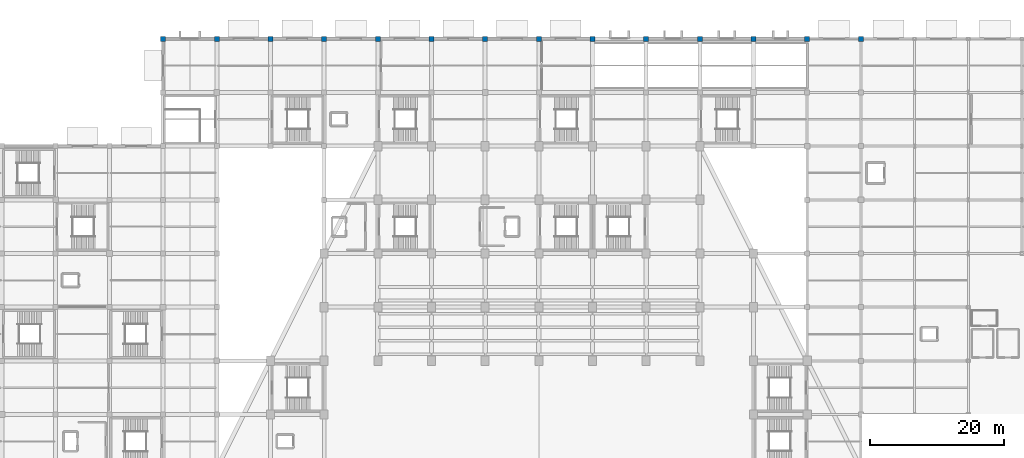
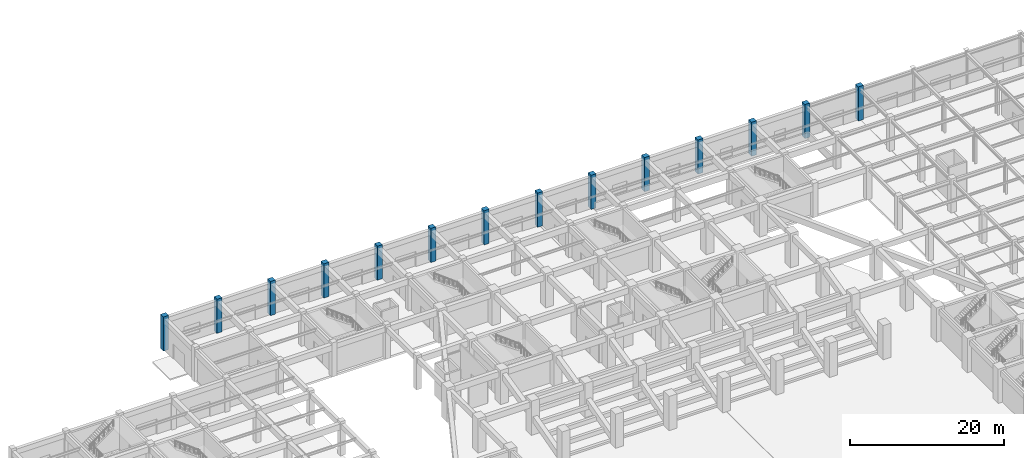
# One storey, part 9 of 39: 14 columns.
"""IFC4 building model written with IfcOpenShell, lengths in metres."""

from ifc_helpers import new_model, si_unit, direction, frame, origin, origin_2d, place, context, subcontext, project, spatial, rectangle, extrude, material, material_profile, profile_set, type_object, element, save


model = new_model("IFC4")

# Units and contexts
model_context = context("Model", 3, precision=1e-05, world=origin(), true_north=direction((0.0, 1.0)))
body_context = subcontext(model_context, "Body", "Model", "MODEL_VIEW")
ifc_project = project(units=[si_unit("LENGTHUNIT", "METRE"), si_unit("AREAUNIT", "SQUARE_METRE"), si_unit("VOLUMEUNIT", "CUBIC_METRE"), si_unit("PLANEANGLEUNIT", "RADIAN"), si_unit("MASSUNIT", "GRAM", prefix="KILO")], contexts=[model_context])

# Site, building, storey
site_placement = place(None, origin())
site = spatial("IfcSite", under=ifc_project, at=site_placement, CompositionType="ELEMENT")
building_placement = place(site_placement, origin())
building = spatial("IfcBuilding", under=site, at=building_placement, Name="Tazarka Park Arena", CompositionType="ELEMENT")
storey_placement = place(building_placement, origin())
storey = spatial("IfcBuildingStorey", under=building, at=storey_placement, Name="L00", CompositionType="ELEMENT", Elevation=0.0)

# Columns
ifc_material = material(Name="Concrete C40/50", Category="concrete")
ifc_material_profile = material_profile(ifc_material, rectangle(XDim=0.75, YDim=0.75, at=origin_2d()), Name="Concrete C40/50")
ifc_profile_set = profile_set([ifc_material_profile], Name="Concrete C40/50")
column_type = type_object("IfcColumnType", Name="COL-C-06", PredefinedType="COLUMN", material=ifc_profile_set)
for number, where, z_axis, x_axis, name in (
    (1, (32.0, 128.0, 0.0), (0.0, 0.0, 1.0), (1.0, 0.0, 0.0), "CLM-L00-04-16"),
    (2, (40.0, 128.0, 0.0), (0.0, 0.0, 1.0), (1.0, 0.0, 0.0), "CLM-L00-05-16"),
    (3, (48.0, 128.0, 0.0), (0.0, 0.0, 1.0), (1.0, 0.0, 0.0), "CLM-L00-06-16"),
    (4, (56.0, 128.0, 0.0), (0.0, 0.0, 1.0), (1.0, 0.0, 0.0), "CLM-L00-07-16"),
    (5, (64.0, 128.0, 0.0), (0.0, 0.0, 1.0), (1.0, 0.0, 0.0), "CLM-L00-08-16"),
    (6, (72.0, 128.0, 0.0), (0.0, 0.0, 1.0), (1.0, 0.0, 0.0), "CLM-L00-09-16"),
    (7, (80.0, 128.0, 0.0), (0.0, 0.0, 1.0), (1.0, 0.0, 0.0), "CLM-L00-10-16"),
    (8, (88.0, 128.0, 0.0), (0.0, 0.0, 1.0), (1.0, 0.0, 0.0), "CLM-L00-11-16"),
    (9, (96.0, 128.0, 0.0), (0.0, 0.0, 1.0), (1.0, 0.0, 0.0), "CLM-L00-12-16"),
    (10, (104.0, 128.0, 0.0), (0.0, 0.0, 1.0), (1.0, 0.0, 0.0), "CLM-L00-13-16"),
    (11, (112.0, 128.0, 0.0), (0.0, 0.0, 1.0), (1.0, 0.0, 0.0), "CLM-L00-14-16"),
    (12, (120.0, 128.0, 0.0), (0.0, 0.0, 1.0), (1.0, 0.0, 0.0), "CLM-L00-15-16"),
    (13, (128.0, 128.0, 0.0), (0.0, 0.0, 1.0), (1.0, 0.0, 0.0), "CLM-L00-16-16"),
    (14, (136.0, 128.0, 0.0), (0.0, 0.0, 1.0), (1.0, 0.0, 0.0), "CLM-L00-17-16"),
):
    element("IfcColumn", number, at=place(storey_placement, frame(where, z_axis=z_axis, x_axis=x_axis)), inside=storey, type_object=column_type, Name=name, PredefinedType="COLUMN", context=body_context, shape_type="SweptSolid", body=[
        extrude(rectangle(XDim=0.75, YDim=0.75, at=origin_2d()), origin(), (0.0, 0.0, 1.0), 5.39990234375),
    ])

save(model, "model.ifc")
